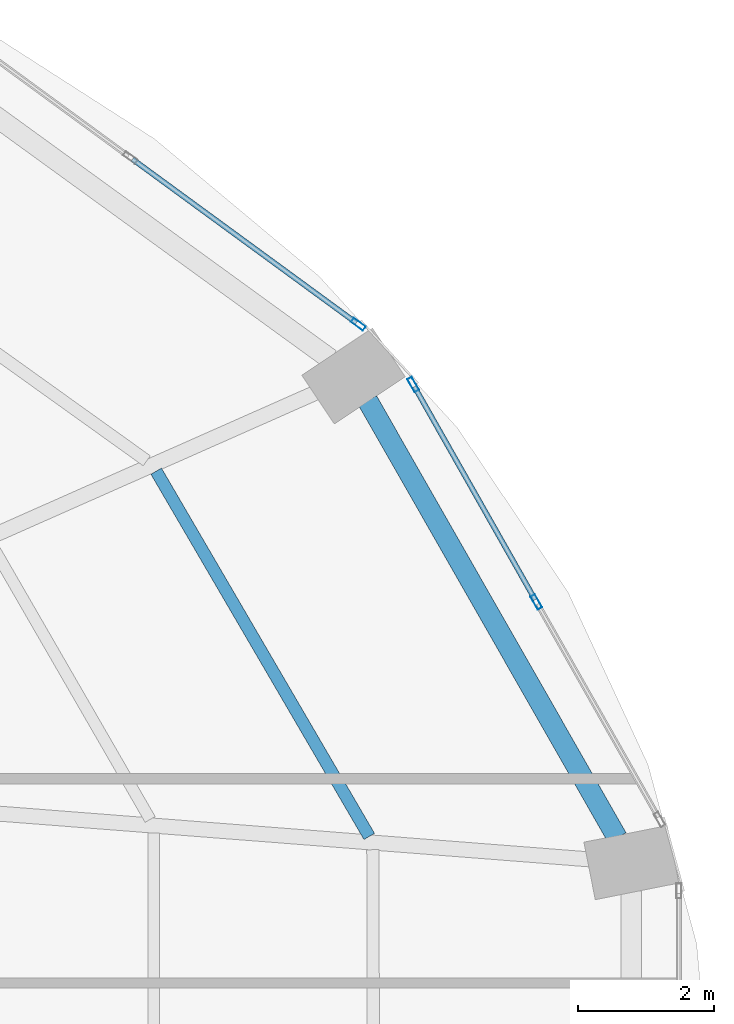
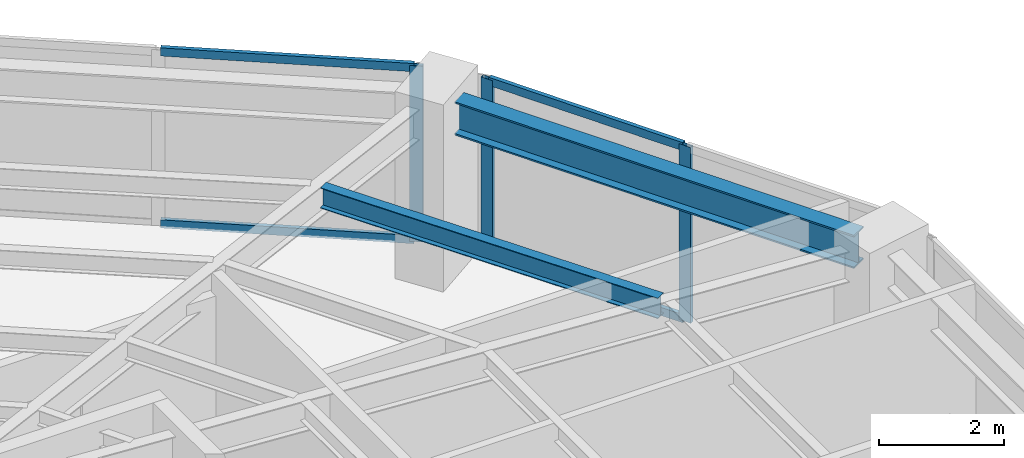
# One storey, part 18 of 24: 7 members, 2 beams, 2 elements without a shape of their own.
"""IFC4 building model written with IfcOpenShell, lengths in metres."""

from ifc_helpers import new_model, si_unit, direction, frame, origin, origin_2d, place, context, subcontext, project, spatial, hollow_rectangle, i_section, extrude, material, layer, layer_set, material_profile, profile_set, type_object, element, aggregate, save


model = new_model("IFC4")

# Units and contexts
model_context = context("Model", 3, precision=1e-05, world=origin(), true_north=direction((0.0, 1.0)))
body_context = subcontext(model_context, "Body", "Model", "MODEL_VIEW")
ifc_project = project(units=[si_unit("LENGTHUNIT", "METRE"), si_unit("AREAUNIT", "SQUARE_METRE"), si_unit("VOLUMEUNIT", "CUBIC_METRE"), si_unit("PLANEANGLEUNIT", "RADIAN"), si_unit("MASSUNIT", "GRAM", prefix="KILO")], contexts=[model_context])

# Site, building, storey
site_placement = place(None, origin())
site = spatial("IfcSite", under=ifc_project, at=site_placement, CompositionType="ELEMENT")
building_placement = place(site_placement, origin())
building = spatial("IfcBuilding", under=site, at=building_placement, Name="Lazwardi Medical Tower", CompositionType="ELEMENT")
storey_placement = place(building_placement, frame((0.0, 0.0, 54.384033203125)))
storey = spatial("IfcBuildingStorey", under=building, at=storey_placement, Name="L13", CompositionType="ELEMENT", Elevation=54.384033203125)

# Beams
ifc_material_1 = material(Name="Steel S355", Category="steel")
ifc_material_profile_1 = material_profile(ifc_material_1, i_section(OverallWidth=0.300048828125, OverallDepth=0.64990234375, WebThickness=0.01611328125, FlangeThickness=0.031005859375, at=origin_2d()), Name="HEB 650")
ifc_profile_set_1 = profile_set([ifc_material_profile_1], Name="Steel S355")
beam_type_1 = type_object("IfcBeamType", Name="BM-RB-Z1", PredefinedType="BEAM", material=ifc_profile_set_1)
beam_1_placement = place(storey_placement, frame((62.591796875, 34.63232421875, 3.10302734375), z_axis=(-0.49581512241, 0.868428099724, 0.0), x_axis=(-0.868428099724, -0.49581512241, 0.0)))
element("IfcBeam", 1, at=beam_1_placement, inside=storey, type_object=beam_type_1, Name="Ring beam RB-02 B05 L13", PredefinedType="BEAM", context=body_context, shape_type="SweptSolid", body=[
    extrude(i_section(OverallWidth=0.300048828125, OverallDepth=0.64990234375, WebThickness=0.01611328125, FlangeThickness=0.031005859375, at=origin_2d()), origin(), (0.0, 0.0, 1.0), 7.389404296875),
])
ifc_material_profile_2 = material_profile(ifc_material_1, i_section(OverallWidth=0.179931640625, OverallDepth=0.39990234375, WebThickness=0.008544921875, FlangeThickness=0.013427734375, at=origin_2d()), Name="IPE 400")
ifc_profile_set_2 = profile_set([ifc_material_profile_2], Name="Steel S355")
beam_type_2 = type_object("IfcBeamType", Name="BM-SJ-01", PredefinedType="JOIST", material=ifc_profile_set_2)
beam_2_placement = place(storey_placement, frame((58.951171875, 34.65234375, 3.22802734375), z_axis=(-0.503846579557, 0.863793160582, 0.0), x_axis=(-0.863793160582, -0.503846579557, 0.0)))
element("IfcBeam", 2, at=beam_2_placement, inside=storey, type_object=beam_type_2, Name="Secondary joist SJ-01 R1 B05 L13", PredefinedType="JOIST", context=body_context, shape_type="SweptSolid", body=[
    extrude(i_section(OverallWidth=0.179931640625, OverallDepth=0.39990234375, WebThickness=0.008544921875, FlangeThickness=0.013427734375, at=origin_2d()), origin(), (0.0, 0.0, 1.0), 6.20947265625),
])

# Curtain wall, members
ifc_material_2 = material(Name="Anodised bronze aluminium and solar control glazing", Category="aluminium")
ifc_layer = layer(ifc_material_2, 0.199951171875)
ifc_layer_set = layer_set([ifc_layer], Name="Anodised bronze aluminium and solar control glazing")
curtain_wall_type = type_object("IfcCurtainWallType", Name="CW-SYS-02", PredefinedType="NOTDEFINED", material=ifc_layer_set)
curtain_wall_1_placement = place(storey_placement, origin())
curtain_wall_1 = element("IfcCurtainWall", 3, at=curtain_wall_1_placement, inside=storey, type_object=curtain_wall_type, Name="L13 Unitised bronze curtain wall CW-02", PredefinedType="NOTDEFINED")
ifc_material_3 = material(Name="Anodised bronze aluminium", Category="aluminium")
ifc_material_profile_3 = material_profile(ifc_material_3, hollow_rectangle(XDim=0.074951171875, YDim=0.219970703125, WallThickness=0.00390625, at=origin_2d()), Name="ALU-MULLION 220x75x4")
ifc_profile_set_3 = profile_set([ifc_material_profile_3], Name="Anodised bronze aluminium")
member_type_1 = type_object("IfcMemberType", Name="CW-MUL-01", PredefinedType="MULLION", material=ifc_profile_set_3)
member_1_placement = place(storey_placement, frame((61.4052734375, 38.095458984375, 0.0), z_axis=(0.0, 0.0, 1.0), x_axis=(-0.870111838823, -0.492854327303, 0.0)))
member_1 = element("IfcMember", 4, at=member_1_placement, type_object=member_type_1, Name="CW-02 mullion 2", PredefinedType="MULLION", context=body_context, shape_type="SweptSolid", body=[
    extrude(hollow_rectangle(XDim=0.074951171875, YDim=0.219970703125, WallThickness=0.00390625, at=origin_2d()), origin(), (0.0, 0.0, 1.0), 3.427978515625),
])
member_2_placement = place(storey_placement, frame((59.5966796875, 41.28857421875, 0.0), z_axis=(0.0, 0.0, 1.0), x_axis=(-0.870111838823, -0.492854327303, 0.0)))
member_2 = element("IfcMember", 5, at=member_2_placement, type_object=member_type_1, Name="CW-02 mullion 3", PredefinedType="MULLION", context=body_context, shape_type="SweptSolid", body=[
    extrude(hollow_rectangle(XDim=0.074951171875, YDim=0.219970703125, WallThickness=0.00390625, at=origin_2d()), origin(), (0.0, 0.0, 1.0), 3.427978515625),
])

# Curtain wall, member
curtain_wall_2_placement = place(storey_placement, origin())
curtain_wall_2 = element("IfcCurtainWall", 6, at=curtain_wall_2_placement, inside=storey, type_object=curtain_wall_type, Name="L13 Unitised bronze curtain wall CW-02", PredefinedType="NOTDEFINED")
member_3_placement = place(storey_placement, frame((58.790283203125, 42.172607421875, 0.0), z_axis=(0.0, 0.0, 1.0), x_axis=(-0.590289307341, -0.807191757663, 0.0)))
member_3 = element("IfcMember", 7, at=member_3_placement, type_object=member_type_1, Name="CW-02 mullion 1", PredefinedType="MULLION", context=body_context, shape_type="SweptSolid", body=[
    extrude(hollow_rectangle(XDim=0.074951171875, YDim=0.219970703125, WallThickness=0.00390625, at=origin_2d()), origin(), (0.0, 0.0, 1.0), 3.427978515625),
])

# Member
ifc_material_profile_4 = material_profile(ifc_material_3, hollow_rectangle(XDim=0.074951171875, YDim=0.159912109375, WallThickness=0.00390625, at=origin_2d()), Name="ALU-TRANSOM 160x75x4")
ifc_profile_set_4 = profile_set([ifc_material_profile_4], Name="Anodised bronze aluminium")
member_type_2 = type_object("IfcMemberType", Name="CW-TRN-01", PredefinedType="USERDEFINED", material=ifc_profile_set_4)
member_4_placement = place(storey_placement, frame((61.386962890625, 38.128173828125, 0.037353515625), z_axis=(-0.492880614687, 0.870096948429, 0.0), x_axis=(-0.870096948429, -0.492880614687, 0.0)))
member_4 = element("IfcMember", 8, at=member_4_placement, type_object=member_type_2, Name="CW-02 transom 2.1", ObjectType="TRANSOM", PredefinedType="USERDEFINED", context=body_context, shape_type="SweptSolid", body=[
    extrude(hollow_rectangle(XDim=0.074951171875, YDim=0.159912109375, WallThickness=0.00390625, at=origin_2d()), origin(), (0.0, 0.0, 1.0), 3.5947265625),
])

member_5_placement = place(storey_placement, frame((61.386962890625, 38.128173828125, 3.390380859375), z_axis=(-0.492880614687, 0.870096948429, 0.0), x_axis=(-0.870096948429, -0.492880614687, 0.0)))
member_5 = element("IfcMember", 9, at=member_5_placement, type_object=member_type_2, Name="CW-02 transom 2.2", ObjectType="TRANSOM", PredefinedType="USERDEFINED", context=body_context, shape_type="SweptSolid", body=[
    extrude(hollow_rectangle(XDim=0.074951171875, YDim=0.159912109375, WallThickness=0.00390625, at=origin_2d()), origin(), (0.0, 0.0, 1.0), 3.5947265625),
])

aggregate(curtain_wall_1, [member_1, member_2, member_4, member_5])

member_6_placement = place(storey_placement, frame((58.760009765625, 42.194580078125, 0.037353515625), z_axis=(-0.807189956199, 0.590291770748, 0.0), x_axis=(-0.590291770748, -0.807189956199, 0.0)))
member_6 = element("IfcMember", 10, at=member_6_placement, type_object=member_type_2, Name="CW-02 transom 1.1", ObjectType="TRANSOM", PredefinedType="USERDEFINED", context=body_context, shape_type="SweptSolid", body=[
    extrude(hollow_rectangle(XDim=0.074951171875, YDim=0.159912109375, WallThickness=0.00390625, at=origin_2d()), origin(), (0.0, 0.0, 1.0), 4.070068359375),
])

member_7_placement = place(storey_placement, frame((58.760009765625, 42.194580078125, 3.390380859375), z_axis=(-0.807189956199, 0.590291770748, 0.0), x_axis=(-0.590291770748, -0.807189956199, 0.0)))
member_7 = element("IfcMember", 11, at=member_7_placement, type_object=member_type_2, Name="CW-02 transom 1.2", ObjectType="TRANSOM", PredefinedType="USERDEFINED", context=body_context, shape_type="SweptSolid", body=[
    extrude(hollow_rectangle(XDim=0.074951171875, YDim=0.159912109375, WallThickness=0.00390625, at=origin_2d()), origin(), (0.0, 0.0, 1.0), 4.070068359375),
])

aggregate(curtain_wall_2, [member_3, member_6, member_7])

save(model, "model.ifc")
